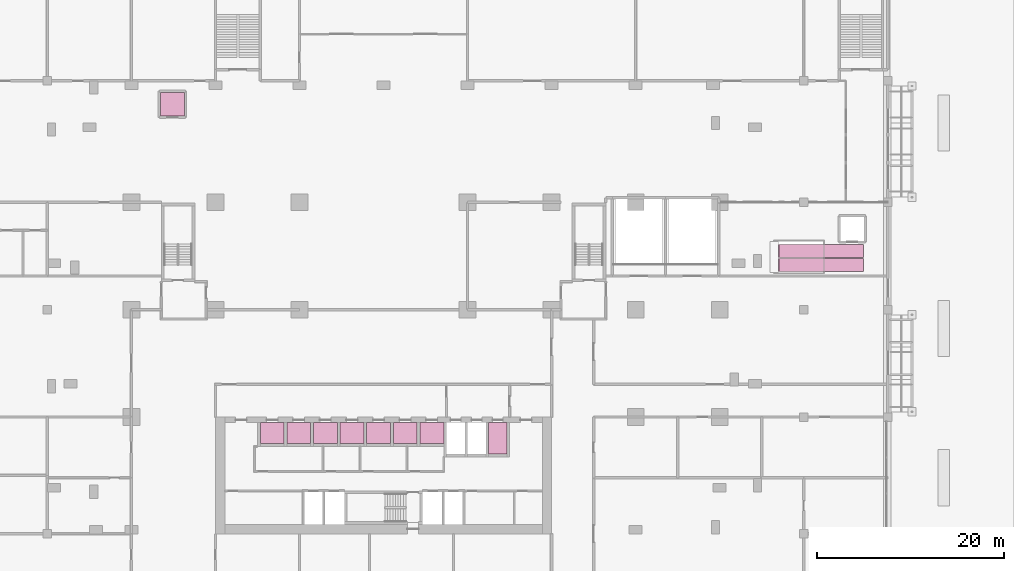
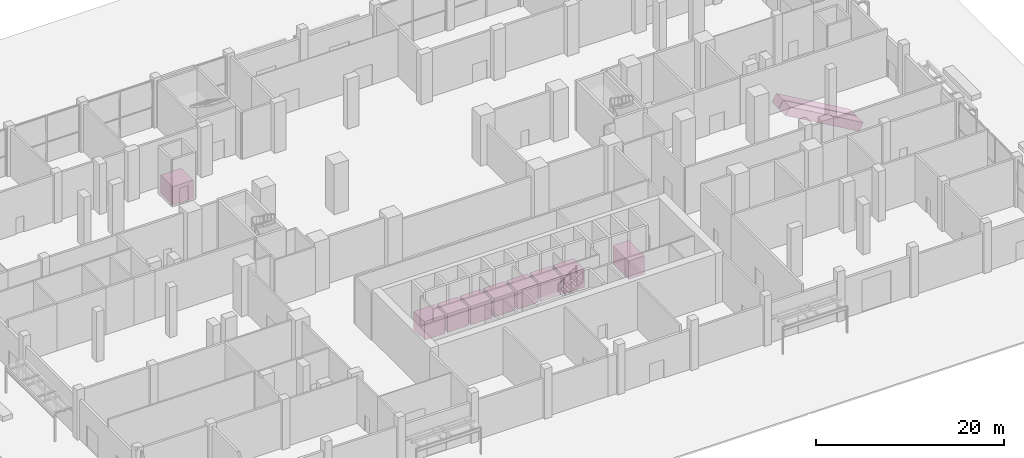
# One storey, part 39 of 39: 11 transport elements.
"""IFC4 building model written with IfcOpenShell, lengths in metres."""

from ifc_helpers import new_model, si_unit, direction, frame, origin, origin_2d, place, context, subcontext, project, spatial, rectangle, extrude, material, material_profile, profile_set, type_object, element, save


model = new_model("IFC4")

# Units and contexts
model_context = context("Model", 3, precision=1e-05, world=origin(), true_north=direction((0.0, 1.0)))
body_context = subcontext(model_context, "Body", "Model", "MODEL_VIEW")
ifc_project = project(units=[si_unit("LENGTHUNIT", "METRE"), si_unit("AREAUNIT", "SQUARE_METRE"), si_unit("VOLUMEUNIT", "CUBIC_METRE"), si_unit("PLANEANGLEUNIT", "RADIAN"), si_unit("MASSUNIT", "GRAM", prefix="KILO")], contexts=[model_context])

# Site, building, storey
site_placement = place(None, origin())
site = spatial("IfcSite", under=ifc_project, at=site_placement, CompositionType="ELEMENT")
building_placement = place(site_placement, origin())
building = spatial("IfcBuilding", under=site, at=building_placement, Name="Brigalow Station Residences", CompositionType="ELEMENT")
storey_placement = place(building_placement, origin())
storey = spatial("IfcBuildingStorey", under=building, at=storey_placement, Name="L00", CompositionType="ELEMENT", Elevation=0.0)

# Transport elements
ifc_material_1 = material(Name="Stainless steel and galvanised steel truss", Category="steel")
ifc_material_profile = material_profile(ifc_material_1, rectangle(XDim=1.39990234375, YDim=1.10009765625, at=origin_2d()), Name="ESC1400x1100")
ifc_profile_set = profile_set([ifc_material_profile], Name="Stainless steel and galvanised steel truss")
transport_element_type_1 = type_object("IfcTransportElementType", Name="ESCALATOR 1400 30 DEGREES", PredefinedType="ESCALATOR", material=ifc_profile_set)
for number, where, z_axis, x_axis, name in (
    (1, (78.094970703125, 28.800048828125, -0.804931640625), (0.866036490789, 0.0, -0.499980796252), (0.0, 1.0, 0.0), "Station escalator A1 (down)"),
    (2, (78.094970703125, 30.300048828125, -0.804931640625), (0.866036490789, 0.0, -0.499980796252), (0.0, 1.0, 0.0), "Station escalator A2 (up)"),
):
    element("IfcTransportElement", number, at=place(storey_placement, frame(where, z_axis=z_axis, x_axis=x_axis)), inside=storey, type_object=transport_element_type_1, Name=name, PredefinedType="ESCALATOR", context=body_context, shape_type="SweptSolid", body=[
        extrude(rectangle(XDim=1.39990234375, YDim=1.10009765625, at=origin_2d()), origin(), (0.0, 0.0, 1.0), 10.41650390625),
    ])
ifc_material_2 = material(Name="Stainless steel car with laminated glass panels", Category="steel")
transport_element_type_2 = type_object("IfcTransportElementType", Name="GOODS AND SERVICE LIFT 2000 KG 1500 x 2700", PredefinedType="ELEVATOR", material=ifc_material_2)
transport_element_1_placement = place(storey_placement, frame((48.22509765625, 10.22509765625, 0.0), z_axis=(0.0, 0.0, 1.0), x_axis=(1.0, 0.0, 0.0)))
element("IfcTransportElement", 3, at=transport_element_1_placement, inside=storey, type_object=transport_element_type_2, Name="SERVICE LIFT LG1", PredefinedType="ELEVATOR", context=body_context, shape_type="SweptSolid", body=[
    extrude(rectangle(XDim=1.949951171875, YDim=3.35009765625, at=origin_2d()), origin(), (0.0, 0.0, 1.0), 2.39990234375),
])
ifc_material_3 = material(Name="Stainless steel car with glass panel", Category="steel")
transport_element_type_3 = type_object("IfcTransportElementType", Name="LIFT PASSENGER 1275 KG", PredefinedType="ELEVATOR", material=ifc_material_3)
transport_element_2_placement = place(storey_placement, frame((13.39990234375, 46.0, 0.0), z_axis=(0.0, 0.0, 1.0), x_axis=(1.0, 0.0, 0.0)))
element("IfcTransportElement", 4, at=transport_element_2_placement, inside=storey, type_object=transport_element_type_3, Name="Public lift car", PredefinedType="ELEVATOR", context=body_context, shape_type="SweptSolid", body=[
    extrude(rectangle(XDim=2.550048828125, YDim=2.550048828125, at=origin_2d()), origin(), (0.0, 0.0, 1.0), 2.39990234375),
])
ifc_material_4 = material(Name="Stainless steel car with laminated glass panels", Category="steel")
transport_element_type_4 = type_object("IfcTransportElementType", Name="LOW-RISE PASSENGER LIFT 1600 KG 2100 x 1600", PredefinedType="ELEVATOR", material=ifc_material_4)
for number, where, z_axis, x_axis, name in (
    (5, (24.074951171875, 10.77490234375, 0.0), (0.0, 0.0, 1.0), (1.0, 0.0, 0.0), "LOW-RISE LIFT LA1"),
    (6, (26.925048828125, 10.77490234375, 0.0), (0.0, 0.0, 1.0), (1.0, 0.0, 0.0), "LOW-RISE LIFT LA2"),
    (7, (29.77490234375, 10.77490234375, 0.0), (0.0, 0.0, 1.0), (1.0, 0.0, 0.0), "LOW-RISE LIFT LA3"),
    (8, (32.625, 10.77490234375, 0.0), (0.0, 0.0, 1.0), (1.0, 0.0, 0.0), "LOW-RISE LIFT LA4"),
    (9, (35.47509765625, 10.77490234375, 0.0), (0.0, 0.0, 1.0), (1.0, 0.0, 0.0), "LOW-RISE LIFT LA5"),
):
    element("IfcTransportElement", number, at=place(storey_placement, frame(where, z_axis=z_axis, x_axis=x_axis)), inside=storey, type_object=transport_element_type_4, Name=name, PredefinedType="ELEVATOR", context=body_context, shape_type="SweptSolid", body=[
        extrude(rectangle(XDim=2.550048828125, YDim=2.25, at=origin_2d()), origin(), (0.0, 0.0, 1.0), 2.39990234375),
    ])
ifc_material_5 = material(Name="Stainless steel car with laminated glass panels", Category="steel")
transport_element_type_5 = type_object("IfcTransportElementType", Name="SHUTTLE LIFT 1600 KG 2100 x 1600", PredefinedType="ELEVATOR", material=ifc_material_5)
for number, where, z_axis, x_axis, name in (
    (10, (38.324951171875, 10.77490234375, 0.0), (0.0, 0.0, 1.0), (1.0, 0.0, 0.0), "SHUTTLE LIFT LS1"),
    (11, (41.175048828125, 10.77490234375, 0.0), (0.0, 0.0, 1.0), (1.0, 0.0, 0.0), "SHUTTLE LIFT LS2"),
):
    element("IfcTransportElement", number, at=place(storey_placement, frame(where, z_axis=z_axis, x_axis=x_axis)), inside=storey, type_object=transport_element_type_5, Name=name, PredefinedType="ELEVATOR", context=body_context, shape_type="SweptSolid", body=[
        extrude(rectangle(XDim=2.550048828125, YDim=2.25, at=origin_2d()), origin(), (0.0, 0.0, 1.0), 2.39990234375),
    ])

save(model, "model.ifc")
